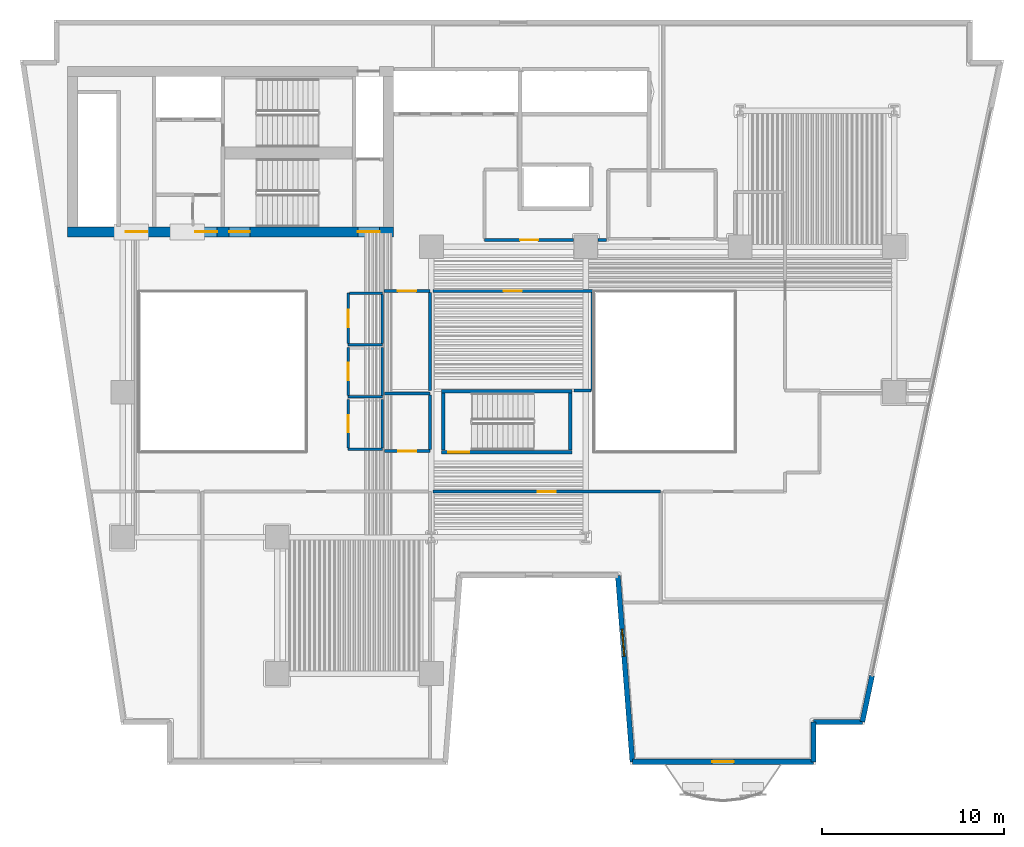
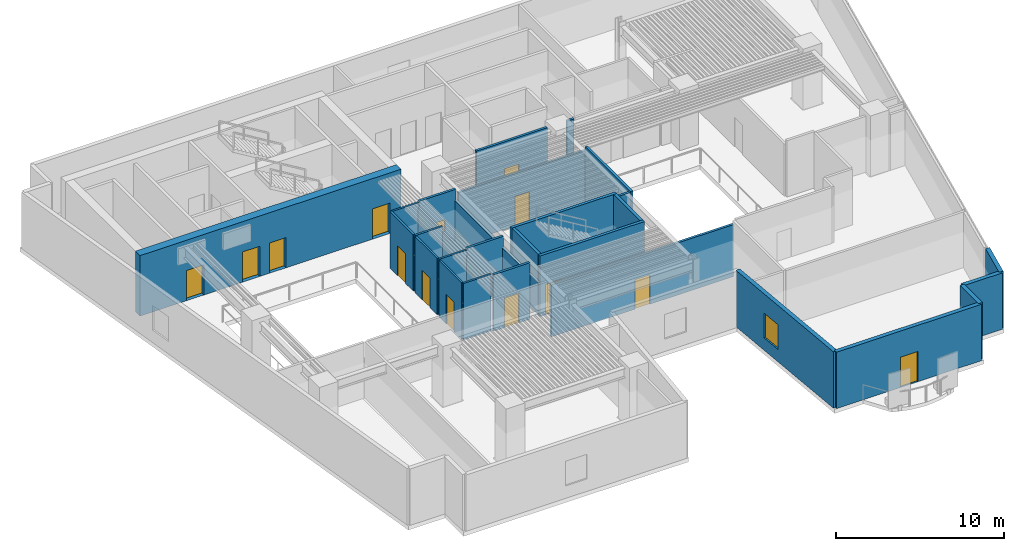
# One storey, part 4 of 11: 31 walls, 14 doors, 1 window, 15 openings.
"""IFC4 building model written with IfcOpenShell, lengths in metres."""

from ifc_helpers import new_model, si_unit, direction, frame, frame_2d, origin, place, context, subcontext, project, spatial, rectangle, extrude, material, layer, layer_set, type_object, element, fill, save


model = new_model("IFC4")

# Units and contexts
model_context = context("Model", 3, precision=1e-05, world=origin(), true_north=direction((0.0, 1.0)))
body_context = subcontext(model_context, "Body", "Model", "MODEL_VIEW")
ifc_project = project(units=[si_unit("LENGTHUNIT", "METRE"), si_unit("AREAUNIT", "SQUARE_METRE"), si_unit("VOLUMEUNIT", "CUBIC_METRE"), si_unit("PLANEANGLEUNIT", "RADIAN"), si_unit("MASSUNIT", "GRAM", prefix="KILO")], contexts=[model_context])

# Site, building, storey
site_placement = place(None, origin())
site = spatial("IfcSite", under=ifc_project, at=site_placement, CompositionType="ELEMENT")
building_placement = place(site_placement, origin())
building = spatial("IfcBuilding", under=site, at=building_placement, Name="Caeloran Harvest Quay", CompositionType="ELEMENT")
storey_placement = place(building_placement, frame((0.0, 0.0, 40.199951171875)))
storey = spatial("IfcBuildingStorey", under=building, at=storey_placement, Name="L09", CompositionType="ELEMENT", Elevation=40.199951171875)

# Walls
ifc_material_1 = material(Name="Precast concrete C50/60", Category="concrete")
ifc_layer_1 = layer(ifc_material_1, 0.280029296875, Name="Precast concrete C50/60")
ifc_layer_set_1 = layer_set([ifc_layer_1], Name="Precast concrete C50/60")
wall_type_1 = type_object("IfcWallType", Name="ENV-WALL-EW-280", PredefinedType="STANDARD", material=ifc_layer_set_1)
wall_1_placement = place(storey_placement, frame((49.77001953125, 7.384521484375, 0.0), z_axis=(0.0, 0.0, 1.0), x_axis=(-0.205551409765, -0.978646319128, 0.0)))
element("IfcWall", 1, at=wall_1_placement, inside=storey, type_object=wall_type_1, Name="L09 Exterior Facade Corner Pier Wall 9B", PredefinedType="STANDARD", context=body_context, shape_type="SweptSolid", body=[
    extrude(rectangle(XDim=2.599853515625, YDim=0.280029296875, at=frame_2d((1.2998046875, 0.0))), origin(), (0.0, 0.0, 1.0), 4.10009765625),
])
wall_2_placement = place(storey_placement, frame((49.235595703125, 4.840087890625, 0.0), z_axis=(0.0, 0.0, 1.0), x_axis=(-1.0, 0.0, 0.0)))
element("IfcWall", 2, at=wall_2_placement, inside=storey, type_object=wall_type_1, Name="L09 Exterior Precast Concrete Facade Wall 10", PredefinedType="STANDARD", context=body_context, shape_type="SweptSolid", body=[
    extrude(rectangle(XDim=2.6884765625, YDim=0.280029296875, at=frame_2d((1.34423828125, 0.0))), origin(), (0.0, 0.0, 1.0), 4.10009765625),
])
wall_3_placement = place(storey_placement, frame((46.547119140625, 4.840087890625, 0.0), z_axis=(0.0, 0.0, 1.0), x_axis=(0.0, -1.0, 0.0)))
element("IfcWall", 3, at=wall_3_placement, inside=storey, type_object=wall_type_1, Name="L09 Exterior Precast Concrete Facade Wall 11", PredefinedType="STANDARD", context=body_context, shape_type="SweptSolid", body=[
    extrude(rectangle(XDim=2.2001953125, YDim=0.280029296875, at=frame_2d((1.10009765625, 0.0))), origin(), (0.0, 0.0, 1.0), 4.10009765625),
])

# Wall, opening, door
wall_4_placement = place(storey_placement, frame((46.547119140625, 2.639892578125, 0.0), z_axis=(0.0, 0.0, 1.0), x_axis=(-1.0, 0.0, 0.0)))
wall_4 = element("IfcWall", 4, at=wall_4_placement, inside=storey, type_object=wall_type_1, Name="L09 Exterior Precast Concrete Facade Wall 12", PredefinedType="STANDARD", context=body_context, shape_type="SweptSolid", body=[
    extrude(rectangle(XDim=9.97705078125, YDim=0.280029296875, at=frame_2d((4.988525390625, 0.0))), origin(), (0.0, 0.0, 1.0), 4.10009765625),
])
opening_1_placement = place(wall_4_placement, frame((4.387939453125, 0.0, 0.0)))
opening_1 = element("IfcOpeningElement", 5, at=opening_1_placement, cuts=wall_4, Name="Opening BD-01", PredefinedType="OPENING", context=body_context, shape_type="SweptSolid", body=[
    extrude(rectangle(XDim=1.199951171875, YDim=2.199951171875, at=frame_2d((0.60009765625, 1.10009765625))), frame((0.0, 0.14990234375, 0.0), z_axis=(0.0, -1.0, 0.0), x_axis=(1.0, 0.0, 0.0)), (0.0, 0.0, 1.0), 0.300048828125),
])
ifc_material_2 = material(Name="Thermally Broken Powder-Coated Aluminium and Safety Glass", Category="aluminium")
door_type_1 = type_object("IfcDoorType", Name="EXTDOOR-BD-01", OperationType="NOTDEFINED", PredefinedType="DOOR", material=ifc_material_2)
door_1_placement = place(opening_1_placement, origin())
door_1 = element("IfcDoor", 6, at=door_1_placement, inside=storey, type_object=door_type_1, Name="L09 Planted Balcony Glazed Access Door", OperationType="SINGLE_SWING_RIGHT", OverallHeight=2.199951171875, OverallWidth=1.199951171875, PredefinedType="DOOR", context=body_context, shape_type="SweptSolid", body=[
    extrude(rectangle(XDim=1.199951171875, YDim=2.199951171875, at=frame_2d((0.60009765625, 1.10009765625))), frame((0.0, 0.02490234375, 0.0), z_axis=(0.0, -1.0, 0.0), x_axis=(1.0, 0.0, 0.0)), (0.0, 0.0, 1.0), 0.050048828125),
])
fill(opening_1, door_1)

# Wall, opening, window
wall_5_placement = place(storey_placement, frame((36.570068359375, 2.639892578125, 0.0), z_axis=(0.0, 0.0, 1.0), x_axis=(-0.077816860153, 0.996967670627, 0.0)))
wall_5 = element("IfcWall", 7, at=wall_5_placement, inside=storey, type_object=wall_type_1, Name="L09 Exterior Precast Concrete Facade Wall 13", PredefinedType="STANDARD", context=body_context, shape_type="SweptSolid", body=[
    extrude(rectangle(XDim=10.28125, YDim=0.280029296875, at=frame_2d((5.140625, 0.0))), origin(), (0.0, 0.0, 1.0), 4.10009765625),
])
opening_2_placement = place(wall_5_placement, frame((5.830078125, 0.0, 0.89990234375)))
opening_2 = element("IfcOpeningElement", 8, at=opening_2_placement, cuts=wall_5, Name="Opening W-03", PredefinedType="OPENING", context=body_context, shape_type="SweptSolid", body=[
    extrude(rectangle(XDim=1.5, YDim=1.800048828125, at=frame_2d((0.75, 0.89990234375))), frame((0.0, 0.14990234375, 0.0), z_axis=(0.0, -1.0, 0.0), x_axis=(1.0, 0.0, 0.0)), (0.0, 0.0, 1.0), 0.300048828125),
])
ifc_material_3 = material(Name="Aluminium-Framed Low-E Laminated Glass", Category="aluminium")
window_type = type_object("IfcWindowType", Name="WIN-W-03", PartitioningType="SINGLE_PANEL", PredefinedType="WINDOW", material=ifc_material_3)
window_placement = place(opening_2_placement, origin())
window = element("IfcWindow", 9, at=window_placement, inside=storey, type_object=window_type, Name="L09 Facade Punched Window W-03", OverallHeight=1.800048828125, OverallWidth=1.5, PartitioningType="SINGLE_PANEL", PredefinedType="WINDOW", context=body_context, shape_type="SweptSolid", body=[
    extrude(rectangle(XDim=1.5, YDim=1.800048828125, at=frame_2d((0.75, 0.89990234375))), frame((0.0, 0.030029296875, 0.0), z_axis=(0.0, -1.0, 0.0), x_axis=(1.0, 0.0, 0.0)), (0.0, 0.0, 1.0), 0.06005859375),
])
fill(opening_2, window)

# Wall
ifc_material_4 = material(Name="Moisture-Resistant Cement-Board Sanitary Partition", Category="gypsum")
ifc_layer_2 = layer(ifc_material_4, 0.139892578125, Name="Moisture-Resistant Cement-Board Sanitary Partition")
ifc_layer_set_2 = layer_set([ifc_layer_2], Name="Moisture-Resistant Cement-Board Sanitary Partition")
wall_type_2 = type_object("IfcWallType", Name="INT-WALL-PW-140", PredefinedType="PARTITIONING", material=ifc_layer_set_2)
wall_6_placement = place(storey_placement, frame((22.800048828125, 25.60009765625, 0.0), z_axis=(0.0, 0.0, 1.0), x_axis=(-1.0, 0.0, 0.0)))
element("IfcWall", 10, at=wall_6_placement, inside=storey, type_object=wall_type_2, Name="L09 Male Washroom WC Partition Wall", PredefinedType="PARTITIONING", context=body_context, shape_type="SweptSolid", body=[
    extrude(rectangle(XDim=1.89013671875, YDim=0.139892578125, at=frame_2d((0.945068359375, 0.0))), origin(), (0.0, 0.0, 1.0), 4.10009765625),
])

# Wall, opening, door
wall_7_placement = place(storey_placement, frame((20.909912109375, 25.675048828125, 0.0), z_axis=(0.0, 0.0, 1.0), x_axis=(0.0, 1.0, 0.0)))
wall_7 = element("IfcWall", 11, at=wall_7_placement, inside=storey, type_object=wall_type_2, Name="L09 Male Washroom WC Partition Wall", PredefinedType="PARTITIONING", context=body_context, shape_type="SweptSolid", body=[
    extrude(rectangle(XDim=2.77490234375, YDim=0.139892578125, at=frame_2d((1.387451171875, 0.0))), origin(), (0.0, 0.0, 1.0), 4.10009765625),
])
opening_3_placement = place(wall_7_placement, frame((0.91259765625, 0.0, 0.0)))
opening_3 = element("IfcOpeningElement", 12, at=opening_3_placement, cuts=wall_7, Name="Opening WC-01", PredefinedType="OPENING", context=body_context, shape_type="SweptSolid", body=[
    extrude(rectangle(XDim=0.949951171875, YDim=2.14990234375, at=frame_2d((0.47509765625, 1.074951171875))), frame((0.0, 0.080078125, 0.0), z_axis=(0.0, -1.0, 0.0), x_axis=(1.0, 0.0, 0.0)), (0.0, 0.0, 1.0), 0.159912109375),
])
ifc_material_5 = material(Name="High-Pressure Laminate Moisture-Resistant Timber", Category="wood")
door_type_2 = type_object("IfcDoorType", Name="INTDOOR-WC-01", OperationType="NOTDEFINED", PredefinedType="DOOR", material=ifc_material_5)
door_2_placement = place(opening_3_placement, origin())
door_2 = element("IfcDoor", 13, at=door_2_placement, inside=storey, type_object=door_type_2, Name="L09 Male Washroom WC Access Door", OperationType="SINGLE_SWING_LEFT", OverallHeight=2.14990234375, OverallWidth=0.949951171875, PredefinedType="DOOR", context=body_context, shape_type="SweptSolid", body=[
    extrude(rectangle(XDim=0.949951171875, YDim=2.14990234375, at=frame_2d((0.47509765625, 1.074951171875))), frame((0.0, 0.02490234375, 0.0), z_axis=(0.0, -1.0, 0.0), x_axis=(1.0, 0.0, 0.0)), (0.0, 0.0, 1.0), 0.050048828125),
])
fill(opening_3, door_2)

# Walls
wall_8_placement = place(storey_placement, frame((20.985107421875, 28.449951171875, 0.0), z_axis=(0.0, 0.0, 1.0), x_axis=(1.0, 0.0, 0.0)))
element("IfcWall", 14, at=wall_8_placement, inside=storey, type_object=wall_type_2, Name="L09 Male Washroom WC Partition Wall", PredefinedType="PARTITIONING", context=body_context, shape_type="SweptSolid", body=[
    extrude(rectangle(XDim=1.81494140625, YDim=0.139892578125, at=frame_2d((0.907470703125, 0.0))), origin(), (0.0, 0.0, 1.0), 4.10009765625),
])
wall_9_placement = place(storey_placement, frame((22.800048828125, 28.375, 0.0), z_axis=(0.0, 0.0, 1.0), x_axis=(0.0, -1.0, 0.0)))
element("IfcWall", 15, at=wall_9_placement, inside=storey, type_object=wall_type_2, Name="L09 Male Washroom WC Partition Wall", PredefinedType="PARTITIONING", context=body_context, shape_type="SweptSolid", body=[
    extrude(rectangle(XDim=2.699951171875, YDim=0.139892578125, at=frame_2d((1.35009765625, 0.0))), origin(), (0.0, 0.0, 1.0), 3.78515625),
])
wall_10_placement = place(storey_placement, frame((22.800048828125, 22.75, 0.0), z_axis=(0.0, 0.0, 1.0), x_axis=(-1.0, 0.0, 0.0)))
element("IfcWall", 16, at=wall_10_placement, inside=storey, type_object=wall_type_2, Name="L09 Female Washroom WC Partition Wall", PredefinedType="PARTITIONING", context=body_context, shape_type="SweptSolid", body=[
    extrude(rectangle(XDim=1.89013671875, YDim=0.139892578125, at=frame_2d((0.945068359375, 0.0))), origin(), (0.0, 0.0, 1.0), 4.10009765625),
])

# Wall, opening, door
wall_11_placement = place(storey_placement, frame((20.909912109375, 22.824951171875, 0.0), z_axis=(0.0, 0.0, 1.0), x_axis=(0.0, 1.0, 0.0)))
wall_11 = element("IfcWall", 17, at=wall_11_placement, inside=storey, type_object=wall_type_2, Name="L09 Female Washroom WC Partition Wall", PredefinedType="PARTITIONING", context=body_context, shape_type="SweptSolid", body=[
    extrude(rectangle(XDim=2.625, YDim=0.139892578125, at=frame_2d((1.3125, 0.0))), origin(), (0.0, 0.0, 1.0), 4.10009765625),
])
opening_4_placement = place(wall_11_placement, frame((0.83740234375, 0.0, 0.0)))
opening_4 = element("IfcOpeningElement", 18, at=opening_4_placement, cuts=wall_11, Name="Opening WC-01", PredefinedType="OPENING", context=body_context, shape_type="SweptSolid", body=[
    extrude(rectangle(XDim=0.949951171875, YDim=2.14990234375, at=frame_2d((0.47509765625, 1.074951171875))), frame((0.0, 0.080078125, 0.0), z_axis=(0.0, -1.0, 0.0), x_axis=(1.0, 0.0, 0.0)), (0.0, 0.0, 1.0), 0.159912109375),
])
door_3_placement = place(opening_4_placement, origin())
door_3 = element("IfcDoor", 19, at=door_3_placement, inside=storey, type_object=door_type_2, Name="L09 Female Washroom WC Access Door", OperationType="SINGLE_SWING_RIGHT", OverallHeight=2.14990234375, OverallWidth=0.949951171875, PredefinedType="DOOR", context=body_context, shape_type="SweptSolid", body=[
    extrude(rectangle(XDim=0.949951171875, YDim=2.14990234375, at=frame_2d((0.47509765625, 1.074951171875))), frame((0.0, 0.02490234375, 0.0), z_axis=(0.0, -1.0, 0.0), x_axis=(1.0, 0.0, 0.0)), (0.0, 0.0, 1.0), 0.050048828125),
])
fill(opening_4, door_3)

# Walls
wall_12_placement = place(storey_placement, frame((22.800048828125, 25.449951171875, 0.0), z_axis=(0.0, 0.0, 1.0), x_axis=(0.0, -1.0, 0.0)))
element("IfcWall", 20, at=wall_12_placement, inside=storey, type_object=wall_type_2, Name="L09 Female Washroom WC Partition Wall", PredefinedType="PARTITIONING", context=body_context, shape_type="SweptSolid", body=[
    extrude(rectangle(XDim=2.625, YDim=0.139892578125, at=frame_2d((1.3125, 0.0))), origin(), (0.0, 0.0, 1.0), 3.78515625),
])
wall_13_placement = place(storey_placement, frame((22.800048828125, 19.85009765625, 0.0), z_axis=(0.0, 0.0, 1.0), x_axis=(-1.0, 0.0, 0.0)))
element("IfcWall", 21, at=wall_13_placement, inside=storey, type_object=wall_type_2, Name="L09 Accessible Unisex Washroom WC Partition Wall", PredefinedType="PARTITIONING", context=body_context, shape_type="SweptSolid", body=[
    extrude(rectangle(XDim=1.89013671875, YDim=0.139892578125, at=frame_2d((0.945068359375, 0.0))), origin(), (0.0, 0.0, 1.0), 4.10009765625),
])

# Wall, opening, door
wall_14_placement = place(storey_placement, frame((20.909912109375, 19.925048828125, 0.0), z_axis=(0.0, 0.0, 1.0), x_axis=(0.0, 1.0, 0.0)))
wall_14 = element("IfcWall", 22, at=wall_14_placement, inside=storey, type_object=wall_type_2, Name="L09 Accessible Unisex Washroom WC Partition Wall", PredefinedType="PARTITIONING", context=body_context, shape_type="SweptSolid", body=[
    extrude(rectangle(XDim=2.675048828125, YDim=0.139892578125, at=frame_2d((1.33740234375, 0.0))), origin(), (0.0, 0.0, 1.0), 4.10009765625),
])
opening_5_placement = place(wall_14_placement, frame((0.862548828125, 0.0, 0.0)))
opening_5 = element("IfcOpeningElement", 23, at=opening_5_placement, cuts=wall_14, Name="Opening WC-01", PredefinedType="OPENING", context=body_context, shape_type="SweptSolid", body=[
    extrude(rectangle(XDim=0.949951171875, YDim=2.14990234375, at=frame_2d((0.47509765625, 1.074951171875))), frame((0.0, 0.080078125, 0.0), z_axis=(0.0, -1.0, 0.0), x_axis=(1.0, 0.0, 0.0)), (0.0, 0.0, 1.0), 0.159912109375),
])
door_4_placement = place(opening_5_placement, origin())
door_4 = element("IfcDoor", 24, at=door_4_placement, inside=storey, type_object=door_type_2, Name="L09 Accessible Unisex Washroom WC Access Door", OperationType="SINGLE_SWING_LEFT", OverallHeight=2.14990234375, OverallWidth=0.949951171875, PredefinedType="DOOR", context=body_context, shape_type="SweptSolid", body=[
    extrude(rectangle(XDim=0.949951171875, YDim=2.14990234375, at=frame_2d((0.47509765625, 1.074951171875))), frame((0.0, 0.02490234375, 0.0), z_axis=(0.0, -1.0, 0.0), x_axis=(1.0, 0.0, 0.0)), (0.0, 0.0, 1.0), 0.050048828125),
])
fill(opening_5, door_4)

# Wall
wall_15_placement = place(storey_placement, frame((22.800048828125, 22.60009765625, 0.0), z_axis=(0.0, 0.0, 1.0), x_axis=(0.0, -1.0, 0.0)))
element("IfcWall", 25, at=wall_15_placement, inside=storey, type_object=wall_type_2, Name="L09 Accessible Unisex Washroom WC Partition Wall", PredefinedType="PARTITIONING", context=body_context, shape_type="SweptSolid", body=[
    extrude(rectangle(XDim=2.675048828125, YDim=0.139892578125, at=frame_2d((1.33740234375, 0.0))), origin(), (0.0, 0.0, 1.0), 3.78515625),
])

# Wall, opening, door
ifc_material_6 = material(Name="Autoclaved Aerated Concrete Blockwork", Category="masonry")
ifc_layer_3 = layer(ifc_material_6, 0.1650390625, Name="Autoclaved Aerated Concrete Blockwork")
ifc_layer_set_3 = layer_set([ifc_layer_3], Name="Autoclaved Aerated Concrete Blockwork")
wall_type_3 = type_object("IfcWallType", Name="INT-WALL-PW-165", PredefinedType="PARTITIONING", material=ifc_layer_set_3)
wall_16_placement = place(storey_placement, frame((25.580078125, 17.52001953125, 0.0), z_axis=(0.0, 0.0, 1.0), x_axis=(1.0, 0.0, 0.0)))
wall_16 = element("IfcWall", 26, at=wall_16_placement, inside=storey, type_object=wall_type_3, Name="Microgreens LED Rack Chamber Partition Wall", PredefinedType="PARTITIONING", context=body_context, shape_type="SweptSolid", body=[
    extrude(rectangle(XDim=12.5400390625, YDim=0.1650390625, at=frame_2d((6.27001953125, 0.0))), origin(), (0.0, 0.0, 1.0), 3.78515625),
])
opening_6_placement = place(wall_16_placement, frame((5.77001953125, 0.0, 0.0)))
opening_6 = element("IfcOpeningElement", 27, at=opening_6_placement, cuts=wall_16, Name="Opening ID-01", PredefinedType="OPENING", context=body_context, shape_type="SweptSolid", body=[
    extrude(rectangle(XDim=1.0, YDim=2.14990234375, at=frame_2d((0.5, 1.074951171875))), frame((0.0, 0.092529296875, 0.0), z_axis=(0.0, -1.0, 0.0), x_axis=(1.0, 0.0, 0.0)), (0.0, 0.0, 1.0), 0.18505859375),
])
ifc_material_7 = material(Name="FSC Solid-Core Ash Timber and Acoustic Seal", Category="wood")
door_type_3 = type_object("IfcDoorType", Name="INTDOOR-ID-01", OperationType="NOTDEFINED", PredefinedType="DOOR", material=ifc_material_7)
door_5_placement = place(opening_6_placement, origin())
door_5 = element("IfcDoor", 28, at=door_5_placement, inside=storey, type_object=door_type_3, Name="Microgreens LED Rack Chamber Access Door", OperationType="SINGLE_SWING_LEFT", OverallHeight=2.14990234375, OverallWidth=1.0, PredefinedType="DOOR", context=body_context, shape_type="SweptSolid", body=[
    extrude(rectangle(XDim=1.0, YDim=2.14990234375, at=frame_2d((0.5, 1.074951171875))), frame((0.0, 0.02490234375, 0.0), z_axis=(0.0, -1.0, 0.0), x_axis=(1.0, 0.0, 0.0)), (0.0, 0.0, 1.0), 0.050048828125),
])
fill(opening_6, door_5)

wall_17_placement = place(storey_placement, frame((25.419921875, 19.75, 0.0), z_axis=(0.0, 0.0, 1.0), x_axis=(-1.0, 0.0, 0.0)))
wall_17 = element("IfcWall", 29, at=wall_17_placement, inside=storey, type_object=wall_type_3, Name="Controlled-Climate Seed Vault Laboratory Partition Wall", PredefinedType="PARTITIONING", context=body_context, shape_type="SweptSolid", body=[
    extrude(rectangle(XDim=2.510009765625, YDim=0.1650390625, at=frame_2d((1.2548828125, 0.0))), origin(), (0.0, 0.0, 1.0), 4.10009765625),
])
opening_7_placement = place(wall_17_placement, frame((0.7548828125, 0.0, 0.0)))
opening_7 = element("IfcOpeningElement", 30, at=opening_7_placement, cuts=wall_17, Name="Opening ID-01", PredefinedType="OPENING", context=body_context, shape_type="SweptSolid", body=[
    extrude(rectangle(XDim=1.0, YDim=2.14990234375, at=frame_2d((0.5, 1.074951171875))), frame((0.0, 0.092529296875, 0.0), z_axis=(0.0, -1.0, 0.0), x_axis=(1.0, 0.0, 0.0)), (0.0, 0.0, 1.0), 0.18505859375),
])
door_6_placement = place(opening_7_placement, origin())
door_6 = element("IfcDoor", 31, at=door_6_placement, inside=storey, type_object=door_type_3, Name="Controlled-Climate Seed Vault Laboratory Access Door", OperationType="SINGLE_SWING_RIGHT", OverallHeight=2.14990234375, OverallWidth=1.0, PredefinedType="DOOR", context=body_context, shape_type="SweptSolid", body=[
    extrude(rectangle(XDim=1.0, YDim=2.14990234375, at=frame_2d((0.5, 1.074951171875))), frame((0.0, 0.02490234375, 0.0), z_axis=(0.0, -1.0, 0.0), x_axis=(1.0, 0.0, 0.0)), (0.0, 0.0, 1.0), 0.050048828125),
])
fill(opening_7, door_6)

# Walls
wall_18_placement = place(storey_placement, frame((22.909912109375, 22.919921875, 0.0), z_axis=(0.0, 0.0, 1.0), x_axis=(1.0, 0.0, 0.0)))
element("IfcWall", 32, at=wall_18_placement, inside=storey, type_object=wall_type_3, Name="Controlled-Climate Seed Vault Laboratory Partition Wall", PredefinedType="PARTITIONING", context=body_context, shape_type="SweptSolid", body=[
    extrude(rectangle(XDim=2.510009765625, YDim=0.1650390625, at=frame_2d((1.2548828125, 0.0))), origin(), (0.0, 0.0, 1.0), 4.10009765625),
])
wall_19_placement = place(storey_placement, frame((25.419921875, 22.83251953125, 0.0), z_axis=(0.0, 0.0, 1.0), x_axis=(0.0, -1.0, 0.0)))
element("IfcWall", 33, at=wall_19_placement, inside=storey, type_object=wall_type_3, Name="Controlled-Climate Seed Vault Laboratory Partition Wall", PredefinedType="PARTITIONING", context=body_context, shape_type="SweptSolid", body=[
    extrude(rectangle(XDim=2.9951171875, YDim=0.1650390625, at=frame_2d((1.49755859375, 0.0))), origin(), (0.0, 0.0, 1.0), 3.28515625),
])

# Wall, opening, door
wall_20_placement = place(storey_placement, frame((22.889892578125, 28.570068359375, 0.0), z_axis=(0.0, 0.0, 1.0), x_axis=(1.0, 0.0, 0.0)))
wall_20 = element("IfcWall", 34, at=wall_20_placement, inside=storey, type_object=wall_type_3, Name="Farm Operations Office Partition Wall", PredefinedType="PARTITIONING", context=body_context, shape_type="SweptSolid", body=[
    extrude(rectangle(XDim=2.530029296875, YDim=0.1650390625, at=frame_2d((1.26513671875, 0.0))), origin(), (0.0, 0.0, 1.0), 4.10009765625),
])
opening_8_placement = place(wall_20_placement, frame((0.764892578125, 0.0, 0.0)))
opening_8 = element("IfcOpeningElement", 35, at=opening_8_placement, cuts=wall_20, Name="Opening ID-01", PredefinedType="OPENING", context=body_context, shape_type="SweptSolid", body=[
    extrude(rectangle(XDim=1.0, YDim=2.14990234375, at=frame_2d((0.5, 1.074951171875))), frame((0.0, 0.092529296875, 0.0), z_axis=(0.0, -1.0, 0.0), x_axis=(1.0, 0.0, 0.0)), (0.0, 0.0, 1.0), 0.18505859375),
])
door_7_placement = place(opening_8_placement, origin())
door_7 = element("IfcDoor", 36, at=door_7_placement, inside=storey, type_object=door_type_3, Name="Farm Operations Office Access Door", OperationType="SINGLE_SWING_LEFT", OverallHeight=2.14990234375, OverallWidth=1.0, PredefinedType="DOOR", context=body_context, shape_type="SweptSolid", body=[
    extrude(rectangle(XDim=1.0, YDim=2.14990234375, at=frame_2d((0.5, 1.074951171875))), frame((0.0, 0.02490234375, 0.0), z_axis=(0.0, -1.0, 0.0), x_axis=(1.0, 0.0, 0.0)), (0.0, 0.0, 1.0), 0.050048828125),
])
fill(opening_8, door_7)

# Wall
wall_21_placement = place(storey_placement, frame((25.419921875, 28.482421875, 0.0), z_axis=(0.0, 0.0, 1.0), x_axis=(0.0, -1.0, 0.0)))
element("IfcWall", 37, at=wall_21_placement, inside=storey, type_object=wall_type_3, Name="Farm Operations Office Partition Wall", PredefinedType="PARTITIONING", context=body_context, shape_type="SweptSolid", body=[
    extrude(rectangle(XDim=5.40234375, YDim=0.1650390625, at=frame_2d((2.701171875, 0.0))), origin(), (0.0, 0.0, 1.0), 3.28515625),
])

# Wall, opening, door
wall_22_placement = place(storey_placement, frame((25.580078125, 28.570068359375, 0.0), z_axis=(0.0, 0.0, 1.0), x_axis=(1.0, 0.0, 0.0)))
wall_22 = element("IfcWall", 38, at=wall_22_placement, inside=storey, type_object=wall_type_3, Name="Botanical Tasting Meeting Room Partition Wall", PredefinedType="PARTITIONING", context=body_context, shape_type="SweptSolid", body=[
    extrude(rectangle(XDim=8.7900390625, YDim=0.1650390625, at=frame_2d((4.39501953125, 0.0))), origin(), (0.0, 0.0, 1.0), 3.78515625),
])
opening_9_placement = place(wall_22_placement, frame((3.89501953125, 0.0, 0.0)))
opening_9 = element("IfcOpeningElement", 39, at=opening_9_placement, cuts=wall_22, Name="Opening ID-01", PredefinedType="OPENING", context=body_context, shape_type="SweptSolid", body=[
    extrude(rectangle(XDim=1.0, YDim=2.14990234375, at=frame_2d((0.5, 1.074951171875))), frame((0.0, 0.092529296875, 0.0), z_axis=(0.0, -1.0, 0.0), x_axis=(1.0, 0.0, 0.0)), (0.0, 0.0, 1.0), 0.18505859375),
])
door_8_placement = place(opening_9_placement, origin())
door_8 = element("IfcDoor", 40, at=door_8_placement, inside=storey, type_object=door_type_3, Name="Botanical Tasting Meeting Room Access Door", OperationType="SINGLE_SWING_RIGHT", OverallHeight=2.14990234375, OverallWidth=1.0, PredefinedType="DOOR", context=body_context, shape_type="SweptSolid", body=[
    extrude(rectangle(XDim=1.0, YDim=2.14990234375, at=frame_2d((0.5, 1.074951171875))), frame((0.0, 0.02490234375, 0.0), z_axis=(0.0, -1.0, 0.0), x_axis=(1.0, 0.0, 0.0)), (0.0, 0.0, 1.0), 0.050048828125),
])
fill(opening_9, door_8)

# Walls
wall_23_placement = place(storey_placement, frame((34.3701171875, 28.482421875, 0.0), z_axis=(0.0, 0.0, 1.0), x_axis=(0.0, -1.0, 0.0)))
element("IfcWall", 41, at=wall_23_placement, inside=storey, type_object=wall_type_3, Name="Botanical Tasting Meeting Room Partition Wall", PredefinedType="PARTITIONING", context=body_context, shape_type="SweptSolid", body=[
    extrude(rectangle(XDim=5.40234375, YDim=0.1650390625, at=frame_2d((2.701171875, 0.0))), origin(), (0.0, 0.0, 1.0), 4.10009765625),
])
wall_24_placement = place(storey_placement, frame((34.282470703125, 23.080078125, 0.0), z_axis=(0.0, 0.0, 1.0), x_axis=(-1.0, 0.0, 0.0)))
element("IfcWall", 42, at=wall_24_placement, inside=storey, type_object=wall_type_3, Name="Botanical Tasting Meeting Room Partition Wall", PredefinedType="PARTITIONING", context=body_context, shape_type="SweptSolid", body=[
    extrude(rectangle(XDim=0.93798828125, YDim=0.1650390625, at=frame_2d((0.468994140625, 0.0))), origin(), (0.0, 0.0, 1.0), 4.10009765625),
])
wall_25_placement = place(storey_placement, frame((35.155517578125, 31.3798828125, 0.0), z_axis=(0.0, 0.0, 1.0), x_axis=(-1.0, 0.0, 0.0)))
element("IfcWall", 43, at=wall_25_placement, inside=storey, type_object=wall_type_3, Name="Saffron and Herb Vertical Growing Room 9 Partition Wall", PredefinedType="PARTITIONING", context=body_context, shape_type="SweptSolid", body=[
    extrude(rectangle(XDim=0.48046875, YDim=0.1650390625, at=frame_2d((0.240234375, 0.0))), origin(), (0.0, 0.0, 1.0), 4.10009765625),
])

# Wall, opening, door
wall_26_placement = place(storey_placement, frame((33.324951171875, 31.3798828125, 0.0), z_axis=(0.0, 0.0, 1.0), x_axis=(-1.0, 0.0, 0.0)))
wall_26 = element("IfcWall", 44, at=wall_26_placement, inside=storey, type_object=wall_type_3, Name="Saffron and Herb Vertical Growing Room 9 Partition Wall", PredefinedType="PARTITIONING", context=body_context, shape_type="SweptSolid", body=[
    extrude(rectangle(XDim=4.89501953125, YDim=0.1650390625, at=frame_2d((2.447509765625, 0.0))), origin(), (0.0, 0.0, 1.0), 4.10009765625),
])
opening_10_placement = place(wall_26_placement, frame((1.947509765625, 0.0, 0.0)))
opening_10 = element("IfcOpeningElement", 45, at=opening_10_placement, cuts=wall_26, Name="Opening ID-01", PredefinedType="OPENING", context=body_context, shape_type="SweptSolid", body=[
    extrude(rectangle(XDim=1.0, YDim=2.14990234375, at=frame_2d((0.5, 1.074951171875))), frame((0.0, 0.092529296875, 0.0), z_axis=(0.0, -1.0, 0.0), x_axis=(1.0, 0.0, 0.0)), (0.0, 0.0, 1.0), 0.18505859375),
])
door_9_placement = place(opening_10_placement, origin())
door_9 = element("IfcDoor", 46, at=door_9_placement, inside=storey, type_object=door_type_3, Name="Saffron and Herb Vertical Growing Room 9 Access Door", OperationType="SINGLE_SWING_RIGHT", OverallHeight=2.14990234375, OverallWidth=1.0, PredefinedType="DOOR", context=body_context, shape_type="SweptSolid", body=[
    extrude(rectangle(XDim=1.0, YDim=2.14990234375, at=frame_2d((0.5, 1.074951171875))), frame((0.0, 0.02490234375, 0.0), z_axis=(0.0, -1.0, 0.0), x_axis=(1.0, 0.0, 0.0)), (0.0, 0.0, 1.0), 0.050048828125),
])
fill(opening_10, door_9)

# Wall, openings, doors
ifc_material_8 = material(Name="Concrete C80/95", Category="concrete")
ifc_layer_4 = layer(ifc_material_8, 0.550048828125, Name="Concrete C80/95")
ifc_layer_set_4 = layer_set([ifc_layer_4], Name="Concrete C80/95")
wall_type_4 = type_object("IfcWallType", Name="STR-WALL-CW-550", PredefinedType="SHEAR", material=ifc_layer_set_4)
wall_27_placement = place(storey_placement, frame((5.449951171875, 31.824951171875, 0.0), z_axis=(0.0, 0.0, 1.0), x_axis=(1.0, 0.0, 0.0)))
wall_27 = element("IfcWall", 47, at=wall_27_placement, inside=storey, type_object=wall_type_4, Name="L09 Rear Core Shear Wall S", PredefinedType="SHEAR", context=body_context, shape_type="SweptSolid", body=[
    extrude(rectangle(XDim=17.949951171875, YDim=0.550048828125, at=frame_2d((8.97509765625, 0.0))), origin(), (0.0, 0.0, 1.0), 4.400146484375),
])
opening_11_placement = place(wall_27_placement, frame((3.199951171875, 0.0, 0.0)))
opening_11 = element("IfcOpeningElement", 48, at=opening_11_placement, cuts=wall_27, Name="Opening FD-01", PredefinedType="OPENING", context=body_context, shape_type="SweptSolid", body=[
    extrude(rectangle(XDim=1.199951171875, YDim=2.199951171875, at=frame_2d((0.60009765625, 1.10009765625))), frame((0.0, 0.28515625, 0.0), z_axis=(0.0, -1.0, 0.0), x_axis=(1.0, 0.0, 0.0)), (0.0, 0.0, 1.0), 0.570068359375),
])
opening_12_placement = place(wall_27_placement, frame((7.050048828125, 0.0, 0.0)))
opening_12 = element("IfcOpeningElement", 49, at=opening_12_placement, cuts=wall_27, Name="Opening FD-01", PredefinedType="OPENING", context=body_context, shape_type="SweptSolid", body=[
    extrude(rectangle(XDim=1.199951171875, YDim=2.199951171875, at=frame_2d((0.60009765625, 1.10009765625))), frame((0.0, 0.28515625, 0.0), z_axis=(0.0, -1.0, 0.0), x_axis=(1.0, 0.0, 0.0)), (0.0, 0.0, 1.0), 0.570068359375),
])
opening_13_placement = place(wall_27_placement, frame((8.89990234375, 0.0, 0.0)))
opening_13 = element("IfcOpeningElement", 50, at=opening_13_placement, cuts=wall_27, Name="Opening SD-01", PredefinedType="OPENING", context=body_context, shape_type="SweptSolid", body=[
    extrude(rectangle(XDim=1.14990234375, YDim=2.199951171875, at=frame_2d((0.574951171875, 1.10009765625))), frame((0.0, 0.28515625, 0.0), z_axis=(0.0, -1.0, 0.0), x_axis=(1.0, 0.0, 0.0)), (0.0, 0.0, 1.0), 0.570068359375),
])
opening_14_placement = place(wall_27_placement, frame((16.0, 0.0, 0.0)))
opening_14 = element("IfcOpeningElement", 51, at=opening_14_placement, cuts=wall_27, Name="Opening FD-01", PredefinedType="OPENING", context=body_context, shape_type="SweptSolid", body=[
    extrude(rectangle(XDim=1.199951171875, YDim=2.199951171875, at=frame_2d((0.60009765625, 1.10009765625))), frame((0.0, 0.28515625, 0.0), z_axis=(0.0, -1.0, 0.0), x_axis=(1.0, 0.0, 0.0)), (0.0, 0.0, 1.0), 0.570068359375),
])
ifc_material_9 = material(Name="Steel", Category="steel")
door_type_4 = type_object("IfcDoorType", Name="INTDOOR-FD-01", OperationType="NOTDEFINED", PredefinedType="DOOR", material=ifc_material_9)
door_10_placement = place(opening_11_placement, origin())
door_10 = element("IfcDoor", 52, at=door_10_placement, inside=storey, type_object=door_type_4, Name="L09 High-Rise Lift Lobby Fire Door", OperationType="SINGLE_SWING_RIGHT", OverallHeight=2.199951171875, OverallWidth=1.199951171875, PredefinedType="DOOR", context=body_context, shape_type="SweptSolid", body=[
    extrude(rectangle(XDim=1.199951171875, YDim=2.199951171875, at=frame_2d((0.60009765625, 1.10009765625))), frame((0.0, 0.02490234375, 0.0), z_axis=(0.0, -1.0, 0.0), x_axis=(1.0, 0.0, 0.0)), (0.0, 0.0, 1.0), 0.050048828125),
])
fill(opening_11, door_10)
door_11_placement = place(opening_12_placement, origin())
door_11 = element("IfcDoor", 53, at=door_11_placement, inside=storey, type_object=door_type_4, Name="L09 Firefighting Lobby Vestibule Fire Door", OperationType="SINGLE_SWING_LEFT", OverallHeight=2.199951171875, OverallWidth=1.199951171875, PredefinedType="DOOR", context=body_context, shape_type="SweptSolid", body=[
    extrude(rectangle(XDim=1.199951171875, YDim=2.199951171875, at=frame_2d((0.60009765625, 1.10009765625))), frame((0.0, 0.02490234375, 0.0), z_axis=(0.0, -1.0, 0.0), x_axis=(1.0, 0.0, 0.0)), (0.0, 0.0, 1.0), 0.050048828125),
])
fill(opening_12, door_11)
door_12_placement = place(opening_14_placement, origin())
door_12 = element("IfcDoor", 54, at=door_12_placement, inside=storey, type_object=door_type_4, Name="L09 Service Lift Lobby Fire Door", OperationType="SINGLE_SWING_LEFT", OverallHeight=2.199951171875, OverallWidth=1.199951171875, PredefinedType="DOOR", context=body_context, shape_type="SweptSolid", body=[
    extrude(rectangle(XDim=1.199951171875, YDim=2.199951171875, at=frame_2d((0.60009765625, 1.10009765625))), frame((0.0, 0.02490234375, 0.0), z_axis=(0.0, -1.0, 0.0), x_axis=(1.0, 0.0, 0.0)), (0.0, 0.0, 1.0), 0.050048828125),
])
fill(opening_14, door_12)
door_type_5 = type_object("IfcDoorType", Name="INTDOOR-SD-01", OperationType="NOTDEFINED", PredefinedType="DOOR", material=ifc_material_9)
door_13_placement = place(opening_13_placement, origin())
door_13 = element("IfcDoor", 55, at=door_13_placement, inside=storey, type_object=door_type_5, Name="L09 Protected Stair ST-C2 Exit Door", OperationType="SINGLE_SWING_RIGHT", OverallHeight=2.199951171875, OverallWidth=1.14990234375, PredefinedType="DOOR", context=body_context, shape_type="SweptSolid", body=[
    extrude(rectangle(XDim=1.14990234375, YDim=2.199951171875, at=frame_2d((0.574951171875, 1.10009765625))), frame((0.0, 0.02490234375, 0.0), z_axis=(0.0, -1.0, 0.0), x_axis=(1.0, 0.0, 0.0)), (0.0, 0.0, 1.0), 0.050048828125),
])
fill(opening_13, door_13)

# Wall, opening, door
ifc_material_10 = material(Name="Concrete C60/75", Category="concrete")
ifc_layer_5 = layer(ifc_material_10, 0.199951171875, Name="Concrete C60/75")
ifc_layer_set_5 = layer_set([ifc_layer_5], Name="Concrete C60/75")
wall_type_5 = type_object("IfcWallType", Name="STR-WALL-SW-200", PredefinedType="SHEAR", material=ifc_layer_set_5)
wall_28_placement = place(storey_placement, frame((26.050048828125, 19.699951171875, 0.0), z_axis=(0.0, 0.0, 1.0), x_axis=(1.0, 0.0, 0.0)))
wall_28 = element("IfcWall", 56, at=wall_28_placement, inside=storey, type_object=wall_type_5, Name="L09 Stair ST-W1 S RC Shaft Shear Wall", PredefinedType="SHEAR", context=body_context, shape_type="SweptSolid", body=[
    extrude(rectangle(XDim=7.199951171875, YDim=0.199951171875, at=frame_2d((3.60009765625, 0.0))), origin(), (0.0, 0.0, 1.0), 4.400146484375),
])
opening_15_placement = place(wall_28_placement, frame((0.3798828125, 0.0, 0.0)))
opening_15 = element("IfcOpeningElement", 57, at=opening_15_placement, cuts=wall_28, Name="Opening SD-01", PredefinedType="OPENING", context=body_context, shape_type="SweptSolid", body=[
    extrude(rectangle(XDim=1.14990234375, YDim=2.199951171875, at=frame_2d((0.574951171875, 1.10009765625))), frame((0.0, 0.10986328125, 0.0), z_axis=(0.0, -1.0, 0.0), x_axis=(1.0, 0.0, 0.0)), (0.0, 0.0, 1.0), 0.219970703125),
])
door_14_placement = place(opening_15_placement, origin())
door_14 = element("IfcDoor", 58, at=door_14_placement, inside=storey, type_object=door_type_5, Name="L09 Protected Exit Stair ST-W1 Fire Door", OperationType="SINGLE_SWING_LEFT", OverallHeight=2.199951171875, OverallWidth=1.14990234375, PredefinedType="DOOR", context=body_context, shape_type="SweptSolid", body=[
    extrude(rectangle(XDim=1.14990234375, YDim=2.199951171875, at=frame_2d((0.574951171875, 1.10009765625))), frame((0.0, 0.02490234375, 0.0), z_axis=(0.0, -1.0, 0.0), x_axis=(1.0, 0.0, 0.0)), (0.0, 0.0, 1.0), 0.050048828125),
])
fill(opening_15, door_14)

# Walls
wall_29_placement = place(storey_placement, frame((26.050048828125, 23.050048828125, 0.0), z_axis=(0.0, 0.0, 1.0), x_axis=(1.0, 0.0, 0.0)))
element("IfcWall", 59, at=wall_29_placement, inside=storey, type_object=wall_type_5, Name="L09 Stair ST-W1 N RC Shaft Shear Wall", PredefinedType="SHEAR", context=body_context, shape_type="SweptSolid", body=[
    extrude(rectangle(XDim=7.199951171875, YDim=0.199951171875, at=frame_2d((3.60009765625, 0.0))), origin(), (0.0, 0.0, 1.0), 4.400146484375),
])
for number, where, z_axis, x_axis, name in (
    (60, (26.14990234375, 19.81005859375, 0.0), (0.0, 0.0, 1.0), (0.0, 1.0, 0.0), "L09 Stair ST-W1 W RC Shaft Shear Wall"),
    (61, (33.14990234375, 19.81005859375, 0.0), (0.0, 0.0, 1.0), (0.0, 1.0, 0.0), "L09 Stair ST-W1 E RC Shaft Shear Wall"),
):
    element("IfcWall", number, at=place(storey_placement, frame(where, z_axis=z_axis, x_axis=x_axis)), inside=storey, type_object=wall_type_5, Name=name, PredefinedType="SHEAR", context=body_context, shape_type="SweptSolid", body=[
        extrude(rectangle(XDim=3.1298828125, YDim=0.199951171875, at=frame_2d((1.56494140625, 0.0))), origin(), (0.0, 0.0, 1.0), 4.400146484375),
    ])

save(model, "model.ifc")
